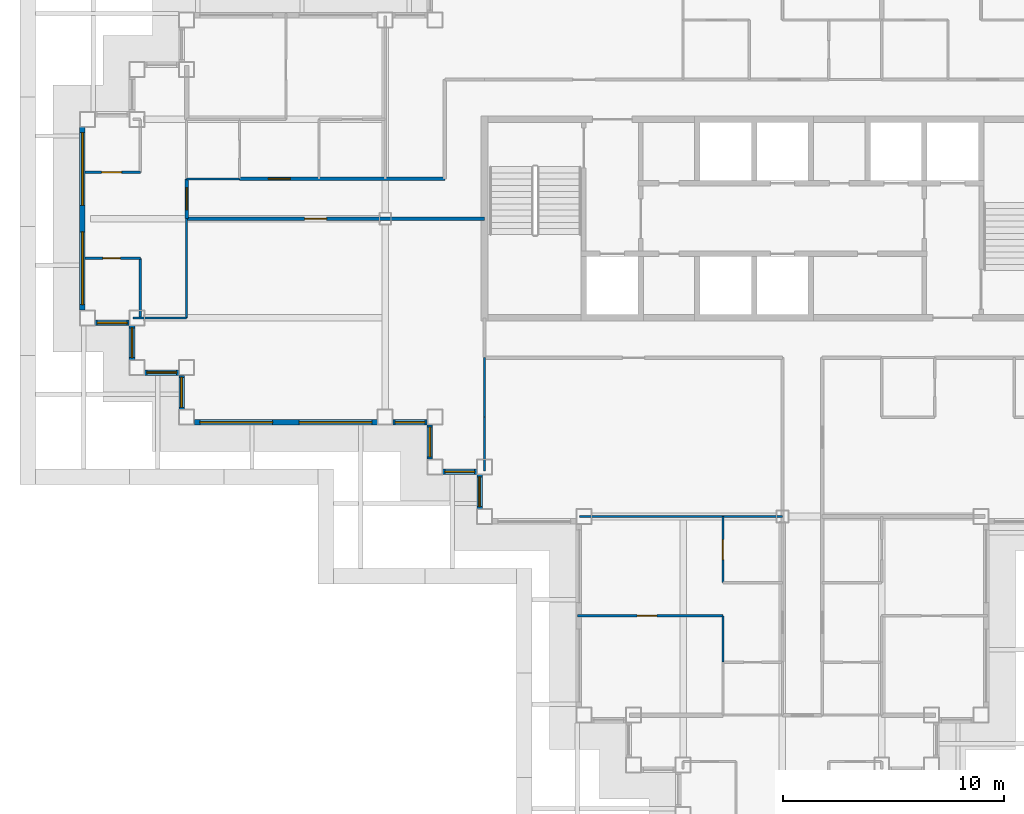
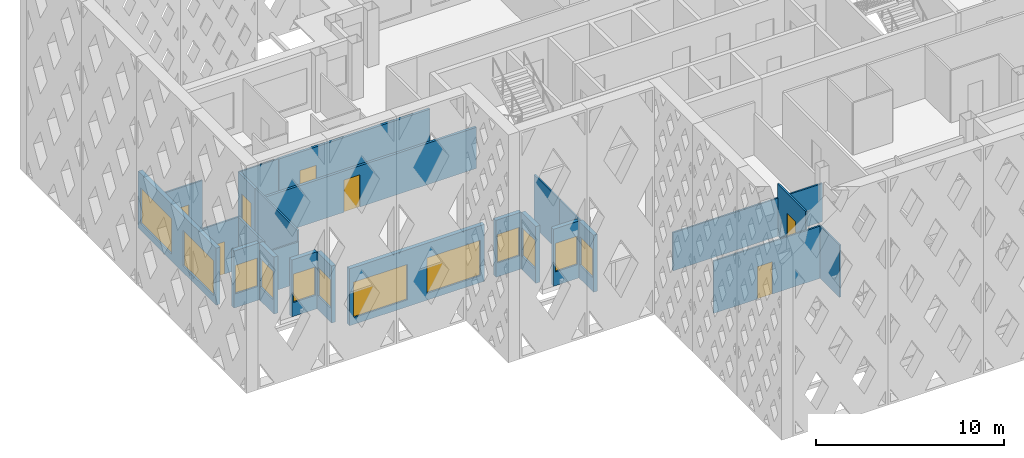
# One storey, part 2 of 17: 25 walls, 12 windows, 7 doors, 19 openings.
"""IFC4 building model written with IfcOpenShell, lengths in metres."""

from ifc_helpers import new_model, si_unit, direction, frame, frame_2d, origin, place, context, subcontext, project, spatial, rectangle, extrude, material, layer, layer_set, type_object, element, fill, save


model = new_model("IFC4")

# Units and contexts
model_context = context("Model", 3, precision=1e-05, world=origin(), true_north=direction((0.0, 1.0)))
body_context = subcontext(model_context, "Body", "Model", "MODEL_VIEW")
ifc_project = project(units=[si_unit("LENGTHUNIT", "METRE"), si_unit("AREAUNIT", "SQUARE_METRE"), si_unit("VOLUMEUNIT", "CUBIC_METRE"), si_unit("PLANEANGLEUNIT", "RADIAN"), si_unit("MASSUNIT", "GRAM", prefix="KILO")], contexts=[model_context])

# Site, building, storey
site_placement = place(None, origin())
site = spatial("IfcSite", under=ifc_project, at=site_placement, CompositionType="ELEMENT")
building_placement = place(site_placement, origin())
building = spatial("IfcBuilding", under=site, at=building_placement, Name="Caravel Reach Hotel and Residences", CompositionType="ELEMENT")
storey_placement = place(building_placement, frame((0.0, 0.0, 192.39990234375)))
storey = spatial("IfcBuildingStorey", under=building, at=storey_placement, Name="L48", CompositionType="ELEMENT", Elevation=192.39990234375)

# Wall, opening, door
ifc_material_1 = material(Name="Gypsum board on steel stud", Category="steel")
ifc_layer_1 = layer(ifc_material_1, 0.10009765625)
ifc_layer_set_1 = layer_set([ifc_layer_1], Name="Bathroom pod wall 100 mm")
wall_type_1 = type_object("IfcWallType", Name="Bathroom pod wall 100 mm", PredefinedType="PARTITIONING", material=ifc_layer_set_1)
wall_1_placement = place(storey_placement, frame((-0.10009765625, 25.199951171875, 0.0), z_axis=(0.0, 0.0, 1.0), x_axis=(1.0, 0.0, 0.0)))
wall_1 = element("IfcWall", 1, at=wall_1_placement, inside=storey, type_object=wall_type_1, Name="L48 wall w080", PredefinedType="PARTITIONING", context=body_context, shape_type="SweptSolid", body=[
    extrude(rectangle(XDim=2.5, YDim=0.10009765625, at=frame_2d((1.25, 0.0))), origin(), (0.0, 0.0, 1.0), 3.400146484375),
])
opening_1_placement = place(wall_1_placement, frame((0.800048828125, 0.0, 0.0)))
opening_1 = element("IfcOpeningElement", 2, at=opening_1_placement, cuts=wall_1, Name="Opening D48-043", PredefinedType="OPENING", context=body_context, shape_type="SweptSolid", body=[
    extrude(rectangle(XDim=0.800048828125, YDim=2.10009765625, at=frame_2d((0.39990234375, 1.050048828125))), frame((0.0, 0.06005859375, 0.0), z_axis=(0.0, -1.0, 0.0), x_axis=(1.0, 0.0, 0.0)), (0.0, 0.0, 1.0), 0.1201171875),
])
ifc_material_2 = material(Name="Timber and steel door leaf", Category="steel")
door_type_1 = type_object("IfcDoorType", Name="Bathroom door 800 x 2100", OperationType="SINGLE_SWING_LEFT", PredefinedType="DOOR", material=ifc_material_2)
door_1_placement = place(opening_1_placement, origin())
door_1 = element("IfcDoor", 3, at=door_1_placement, inside=storey, type_object=door_type_1, Name="door D48-043", OperationType="SINGLE_SWING_LEFT", OverallHeight=2.10009765625, OverallWidth=0.800048828125, PredefinedType="DOOR", context=body_context, shape_type="SweptSolid", body=[
    extrude(rectangle(XDim=0.800048828125, YDim=2.10009765625, at=frame_2d((0.39990234375, 1.050048828125))), frame((0.0, 0.02490234375, 0.0), z_axis=(0.0, -1.0, 0.0), x_axis=(1.0, 0.0, 0.0)), (0.0, 0.0, 1.0), 0.050048828125),
])
fill(opening_1, door_1)

# Walls
wall_2_placement = place(storey_placement, frame((4.5, 28.800048828125, 0.0), z_axis=(0.0, 0.0, 1.0), x_axis=(1.0, 0.0, 0.0)))
element("IfcWall", 4, at=wall_2_placement, inside=storey, type_object=wall_type_1, Name="L48 wall w081", PredefinedType="PARTITIONING", context=body_context, shape_type="SweptSolid", body=[
    extrude(rectangle(XDim=2.39990234375, YDim=0.10009765625, at=frame_2d((1.199951171875, 0.0))), origin(), (0.0, 0.0, 1.0), 3.400146484375),
])
wall_3_placement = place(storey_placement, frame((2.39990234375, 22.5, 0.0), z_axis=(0.0, 0.0, 1.0), x_axis=(0.0, 1.0, 0.0)))
element("IfcWall", 5, at=wall_3_placement, inside=storey, type_object=wall_type_1, Name="L48 wall w092", PredefinedType="PARTITIONING", context=body_context, shape_type="SweptSolid", body=[
    extrude(rectangle(XDim=2.699951171875, YDim=0.10009765625, at=frame_2d((1.35009765625, 0.0))), origin(), (0.0, 0.0, 1.0), 3.400146484375),
])

# Wall, opening, door
ifc_material_3 = material(Name="Gypsum board on steel stud, fire-rated", Category="steel")
ifc_layer_2 = layer(ifc_material_3, 0.14990234375)
ifc_layer_set_2 = layer_set([ifc_layer_2], Name="Corridor wall 150 mm EI 60")
wall_type_2 = type_object("IfcWallType", Name="Corridor wall 150 mm EI 60", PredefinedType="PARTITIONING", material=ifc_layer_set_2)
wall_4_placement = place(storey_placement, frame((4.5, 27.0, 0.0), z_axis=(0.0, 0.0, 1.0), x_axis=(1.0, 0.0, 0.0)))
wall_4 = element("IfcWall", 6, at=wall_4_placement, inside=storey, type_object=wall_type_2, Name="L48 wall w007", PredefinedType="PARTITIONING", context=body_context, shape_type="SweptSolid", body=[
    extrude(rectangle(XDim=13.5, YDim=0.14990234375, at=frame_2d((6.75, 0.0))), origin(), (0.0, 0.0, 1.0), 2.68017578125),
])
opening_2_placement = place(wall_4_placement, frame((5.35009765625, 0.0, 0.0)))
opening_2 = element("IfcOpeningElement", 7, at=opening_2_placement, cuts=wall_4, Name="Opening D48-029", PredefinedType="OPENING", context=body_context, shape_type="SweptSolid", body=[
    extrude(rectangle(XDim=1.0, YDim=2.10009765625, at=frame_2d((0.5, 1.050048828125))), frame((0.0, 0.0849609375, 0.0), z_axis=(0.0, -1.0, 0.0), x_axis=(1.0, 0.0, 0.0)), (0.0, 0.0, 1.0), 0.169921875),
])
ifc_material_4 = material(Name="Steel fire door leaf", Category="steel")
door_type_2 = type_object("IfcDoorType", Name="Fire door 1000 x 2100 EI 60", OperationType="SINGLE_SWING_LEFT", PredefinedType="DOOR", material=ifc_material_4)
door_2_placement = place(opening_2_placement, origin())
door_2 = element("IfcDoor", 8, at=door_2_placement, inside=storey, type_object=door_type_2, Name="door D48-029", OperationType="SINGLE_SWING_LEFT", OverallHeight=2.10009765625, OverallWidth=1.0, PredefinedType="DOOR", context=body_context, shape_type="SweptSolid", body=[
    extrude(rectangle(XDim=1.0, YDim=2.10009765625, at=frame_2d((0.5, 1.050048828125))), frame((0.0, 0.02490234375, 0.0), z_axis=(0.0, -1.0, 0.0), x_axis=(1.0, 0.0, 0.0)), (0.0, 0.0, 1.0), 0.050048828125),
])
fill(opening_2, door_2)

wall_5_placement = place(storey_placement, frame((6.89990234375, 28.800048828125, 0.0), z_axis=(0.0, 0.0, 1.0), x_axis=(1.0, 0.0, 0.0)))
wall_5 = element("IfcWall", 9, at=wall_5_placement, inside=storey, type_object=wall_type_2, Name="L48 wall w009", PredefinedType="PARTITIONING", context=body_context, shape_type="SweptSolid", body=[
    extrude(rectangle(XDim=9.299072265625, YDim=0.14990234375, at=frame_2d((4.6494140625, 0.0))), origin(), (0.0, 0.0, 1.0), 3.400146484375),
])
opening_3_placement = place(wall_5_placement, frame((1.300048828125, 0.0, 0.0)))
opening_3 = element("IfcOpeningElement", 10, at=opening_3_placement, cuts=wall_5, Name="Opening D48-025", PredefinedType="OPENING", context=body_context, shape_type="SweptSolid", body=[
    extrude(rectangle(XDim=1.0, YDim=2.199951171875, at=frame_2d((0.5, 1.10009765625))), frame((0.0, 0.0849609375, 0.0), z_axis=(0.0, -1.0, 0.0), x_axis=(1.0, 0.0, 0.0)), (0.0, 0.0, 1.0), 0.169921875),
])
ifc_material_5 = material(Name="Steel fire door leaf", Category="steel")
door_type_3 = type_object("IfcDoorType", Name="Flat entrance door 1000 x 2200 EI 60", OperationType="SINGLE_SWING_LEFT", PredefinedType="DOOR", material=ifc_material_5)
door_3_placement = place(opening_3_placement, origin())
door_3 = element("IfcDoor", 11, at=door_3_placement, inside=storey, type_object=door_type_3, Name="door D48-025", OperationType="SINGLE_SWING_RIGHT", OverallHeight=2.199951171875, OverallWidth=1.0, PredefinedType="DOOR", context=body_context, shape_type="SweptSolid", body=[
    extrude(rectangle(XDim=1.0, YDim=2.199951171875, at=frame_2d((0.5, 1.10009765625))), frame((0.0, 0.02490234375, 0.0), z_axis=(0.0, -1.0, 0.0), x_axis=(1.0, 0.0, 0.0)), (0.0, 0.0, 1.0), 0.050048828125),
])
fill(opening_3, door_3)

wall_6_placement = place(storey_placement, frame((4.5, 27.0, 0.0), z_axis=(0.0, 0.0, 1.0), x_axis=(0.0, 1.0, 0.0)))
wall_6 = element("IfcWall", 12, at=wall_6_placement, inside=storey, type_object=wall_type_2, Name="L48 wall w026", PredefinedType="PARTITIONING", context=body_context, shape_type="SweptSolid", body=[
    extrude(rectangle(XDim=1.800048828125, YDim=0.14990234375, at=frame_2d((0.89990234375, 0.0))), origin(), (0.0, 0.0, 1.0), 3.400146484375),
])
opening_4_placement = place(wall_6_placement, frame((0.39990234375, 0.0, 0.0)))
opening_4 = element("IfcOpeningElement", 13, at=opening_4_placement, cuts=wall_6, Name="Opening D48-042", PredefinedType="OPENING", context=body_context, shape_type="SweptSolid", body=[
    extrude(rectangle(XDim=1.0, YDim=2.199951171875, at=frame_2d((0.5, 1.10009765625))), frame((0.0, 0.0849609375, 0.0), z_axis=(0.0, -1.0, 0.0), x_axis=(1.0, 0.0, 0.0)), (0.0, 0.0, 1.0), 0.169921875),
])
door_4_placement = place(opening_4_placement, origin())
door_4 = element("IfcDoor", 14, at=door_4_placement, inside=storey, type_object=door_type_3, Name="door D48-042", OperationType="SINGLE_SWING_LEFT", OverallHeight=2.199951171875, OverallWidth=1.0, PredefinedType="DOOR", context=body_context, shape_type="SweptSolid", body=[
    extrude(rectangle(XDim=1.0, YDim=2.199951171875, at=frame_2d((0.5, 1.10009765625))), frame((0.0, 0.02490234375, 0.0), z_axis=(0.0, -1.0, 0.0), x_axis=(1.0, 0.0, 0.0)), (0.0, 0.0, 1.0), 0.050048828125),
])
fill(opening_4, door_4)

# Wall, openings, windows
ifc_material_6 = material(Name="Insulated rainscreen wall, aluminium cladding", Category="aluminium")
ifc_layer_3 = layer(ifc_material_6, 0.25)
ifc_layer_set_3 = layer_set([ifc_layer_3], Name="EW1 Tower rainscreen wall")
wall_type_3 = type_object("IfcWallType", Name="EW1 Tower rainscreen wall", PredefinedType="SOLIDWALL", material=ifc_layer_set_3)
wall_7_placement = place(storey_placement, frame((-0.22509765625, 31.14990234375, 0.0), z_axis=(0.0, 0.0, 1.0), x_axis=(0.0, -1.0, 0.0)))
wall_7 = element("IfcWall", 15, at=wall_7_placement, inside=storey, type_object=wall_type_3, Name="External wall L48 W20.1", PredefinedType="SOLIDWALL", context=body_context, shape_type="SweptSolid", body=[
    extrude(rectangle(XDim=8.2998046875, YDim=0.25, at=frame_2d((4.14990234375, 0.0))), origin(), (0.0, 0.0, 1.0), 3.7001953125),
])
opening_5_placement = place(wall_7_placement, frame((0.25, 0.0, 0.449951171875)))
opening_5 = element("IfcOpeningElement", 16, at=opening_5_placement, cuts=wall_7, Name="Opening WN15", PredefinedType="OPENING", context=body_context, shape_type="SweptSolid", body=[
    extrude(rectangle(XDim=3.300048828125, YDim=2.300048828125, at=frame_2d((1.64990234375, 1.14990234375))), frame((0.0, 0.135009765625, 0.0), z_axis=(0.0, -1.0, 0.0), x_axis=(1.0, 0.0, 0.0)), (0.0, 0.0, 1.0), 0.27001953125),
])
opening_6_placement = place(wall_7_placement, frame((4.75, 0.0, 0.449951171875)))
opening_6 = element("IfcOpeningElement", 17, at=opening_6_placement, cuts=wall_7, Name="Opening WN15", PredefinedType="OPENING", context=body_context, shape_type="SweptSolid", body=[
    extrude(rectangle(XDim=3.300048828125, YDim=2.300048828125, at=frame_2d((1.64990234375, 1.14990234375))), frame((0.0, 0.135009765625, 0.0), z_axis=(0.0, -1.0, 0.0), x_axis=(1.0, 0.0, 0.0)), (0.0, 0.0, 1.0), 0.27001953125),
])
ifc_material_7 = material(Name="Dark low-e glazing in black aluminium frame", Category="aluminium")
window_type_1 = type_object("IfcWindowType", Name="Residence living window 3300 x 2300", PartitioningType="SINGLE_PANEL", PredefinedType="WINDOW", material=ifc_material_7)
window_1_placement = place(opening_5_placement, origin())
window_1 = element("IfcWindow", 18, at=window_1_placement, inside=storey, type_object=window_type_1, Name="Window L48 W20.1.1", OverallHeight=2.300048828125, OverallWidth=3.300048828125, PartitioningType="SINGLE_PANEL", PredefinedType="WINDOW", context=body_context, shape_type="SweptSolid", body=[
    extrude(rectangle(XDim=3.300048828125, YDim=2.300048828125, at=frame_2d((1.64990234375, 1.14990234375))), frame((0.0, 0.030029296875, 0.0), z_axis=(0.0, -1.0, 0.0), x_axis=(1.0, 0.0, 0.0)), (0.0, 0.0, 1.0), 0.06005859375),
])
fill(opening_5, window_1)
window_2_placement = place(opening_6_placement, origin())
window_2 = element("IfcWindow", 19, at=window_2_placement, inside=storey, type_object=window_type_1, Name="Window L48 W20.1.2", OverallHeight=2.300048828125, OverallWidth=3.300048828125, PartitioningType="SINGLE_PANEL", PredefinedType="WINDOW", context=body_context, shape_type="SweptSolid", body=[
    extrude(rectangle(XDim=3.300048828125, YDim=2.300048828125, at=frame_2d((1.64990234375, 1.14990234375))), frame((0.0, 0.030029296875, 0.0), z_axis=(0.0, -1.0, 0.0), x_axis=(1.0, 0.0, 0.0)), (0.0, 0.0, 1.0), 0.06005859375),
])
fill(opening_6, window_2)

# Wall, opening, window
wall_8_placement = place(storey_placement, frame((0.35009765625, 22.27490234375, 0.0), z_axis=(0.0, 0.0, 1.0), x_axis=(1.0, 0.0, 0.0)))
wall_8 = element("IfcWall", 20, at=wall_8_placement, inside=storey, type_object=wall_type_3, Name="External wall L48 S21.1", PredefinedType="SOLIDWALL", context=body_context, shape_type="SweptSolid", body=[
    extrude(rectangle(XDim=1.5498046875, YDim=0.25, at=frame_2d((0.77490234375, 0.0))), origin(), (0.0, 0.0, 1.0), 3.7001953125),
])
opening_7_placement = place(wall_8_placement, frame((0.10009765625, 0.0, 0.89990234375)))
opening_7 = element("IfcOpeningElement", 21, at=opening_7_placement, cuts=wall_8, Name="Opening WN21", PredefinedType="OPENING", context=body_context, shape_type="SweptSolid", body=[
    extrude(rectangle(XDim=1.35009765625, YDim=1.85009765625, at=frame_2d((0.675048828125, 0.925048828125))), frame((0.0, 0.135009765625, 0.0), z_axis=(0.0, -1.0, 0.0), x_axis=(1.0, 0.0, 0.0)), (0.0, 0.0, 1.0), 0.27001953125),
])
ifc_material_8 = material(Name="Dark low-e glazing in black aluminium frame", Category="aluminium")
window_type_2 = type_object("IfcWindowType", Name="Residence bedroom window 1350 x 1850", PartitioningType="SINGLE_PANEL", PredefinedType="WINDOW", material=ifc_material_8)
window_3_placement = place(opening_7_placement, origin())
window_3 = element("IfcWindow", 22, at=window_3_placement, inside=storey, type_object=window_type_2, Name="Window L48 S21.1.1", OverallHeight=1.85009765625, OverallWidth=1.35009765625, PartitioningType="SINGLE_PANEL", PredefinedType="WINDOW", context=body_context, shape_type="SweptSolid", body=[
    extrude(rectangle(XDim=1.35009765625, YDim=1.85009765625, at=frame_2d((0.675048828125, 0.925048828125))), frame((0.0, 0.030029296875, 0.0), z_axis=(0.0, -1.0, 0.0), x_axis=(1.0, 0.0, 0.0)), (0.0, 0.0, 1.0), 0.06005859375),
])
fill(opening_7, window_3)

wall_9_placement = place(storey_placement, frame((2.02490234375, 22.14990234375, 0.0), z_axis=(0.0, 0.0, 1.0), x_axis=(0.0, -1.0, 0.0)))
wall_9 = element("IfcWall", 23, at=wall_9_placement, inside=storey, type_object=wall_type_3, Name="External wall L48 W22.1", PredefinedType="SOLIDWALL", context=body_context, shape_type="SweptSolid", body=[
    extrude(rectangle(XDim=1.5498046875, YDim=0.25, at=frame_2d((0.77490234375, 0.0))), origin(), (0.0, 0.0, 1.0), 3.7001953125),
])
opening_8_placement = place(wall_9_placement, frame((0.10009765625, 0.0, 0.89990234375)))
opening_8 = element("IfcOpeningElement", 24, at=opening_8_placement, cuts=wall_9, Name="Opening WN21", PredefinedType="OPENING", context=body_context, shape_type="SweptSolid", body=[
    extrude(rectangle(XDim=1.35009765625, YDim=1.85009765625, at=frame_2d((0.675048828125, 0.925048828125))), frame((0.0, 0.135009765625, 0.0), z_axis=(0.0, -1.0, 0.0), x_axis=(1.0, 0.0, 0.0)), (0.0, 0.0, 1.0), 0.27001953125),
])
window_4_placement = place(opening_8_placement, origin())
window_4 = element("IfcWindow", 25, at=window_4_placement, inside=storey, type_object=window_type_2, Name="Window L48 W22.1.1", OverallHeight=1.85009765625, OverallWidth=1.35009765625, PartitioningType="SINGLE_PANEL", PredefinedType="WINDOW", context=body_context, shape_type="SweptSolid", body=[
    extrude(rectangle(XDim=1.35009765625, YDim=1.85009765625, at=frame_2d((0.675048828125, 0.925048828125))), frame((0.0, 0.030029296875, 0.0), z_axis=(0.0, -1.0, 0.0), x_axis=(1.0, 0.0, 0.0)), (0.0, 0.0, 1.0), 0.06005859375),
])
fill(opening_8, window_4)

wall_10_placement = place(storey_placement, frame((2.60009765625, 20.02490234375, 0.0), z_axis=(0.0, 0.0, 1.0), x_axis=(1.0, 0.0, 0.0)))
wall_10 = element("IfcWall", 26, at=wall_10_placement, inside=storey, type_object=wall_type_3, Name="External wall L48 S23.1", PredefinedType="SOLIDWALL", context=body_context, shape_type="SweptSolid", body=[
    extrude(rectangle(XDim=1.5498046875, YDim=0.25, at=frame_2d((0.77490234375, 0.0))), origin(), (0.0, 0.0, 1.0), 3.7001953125),
])
opening_9_placement = place(wall_10_placement, frame((0.10009765625, 0.0, 0.89990234375)))
opening_9 = element("IfcOpeningElement", 27, at=opening_9_placement, cuts=wall_10, Name="Opening WN21", PredefinedType="OPENING", context=body_context, shape_type="SweptSolid", body=[
    extrude(rectangle(XDim=1.35009765625, YDim=1.85009765625, at=frame_2d((0.675048828125, 0.925048828125))), frame((0.0, 0.135009765625, 0.0), z_axis=(0.0, -1.0, 0.0), x_axis=(1.0, 0.0, 0.0)), (0.0, 0.0, 1.0), 0.27001953125),
])
window_5_placement = place(opening_9_placement, origin())
window_5 = element("IfcWindow", 28, at=window_5_placement, inside=storey, type_object=window_type_2, Name="Window L48 S23.1.1", OverallHeight=1.85009765625, OverallWidth=1.35009765625, PartitioningType="SINGLE_PANEL", PredefinedType="WINDOW", context=body_context, shape_type="SweptSolid", body=[
    extrude(rectangle(XDim=1.35009765625, YDim=1.85009765625, at=frame_2d((0.675048828125, 0.925048828125))), frame((0.0, 0.030029296875, 0.0), z_axis=(0.0, -1.0, 0.0), x_axis=(1.0, 0.0, 0.0)), (0.0, 0.0, 1.0), 0.06005859375),
])
fill(opening_9, window_5)

wall_11_placement = place(storey_placement, frame((4.27490234375, 19.89990234375, 0.0), z_axis=(0.0, 0.0, 1.0), x_axis=(0.0, -1.0, 0.0)))
wall_11 = element("IfcWall", 29, at=wall_11_placement, inside=storey, type_object=wall_type_3, Name="External wall L48 W24.1", PredefinedType="SOLIDWALL", context=body_context, shape_type="SweptSolid", body=[
    extrude(rectangle(XDim=1.5498046875, YDim=0.25, at=frame_2d((0.77490234375, 0.0))), origin(), (0.0, 0.0, 1.0), 3.7001953125),
])
opening_10_placement = place(wall_11_placement, frame((0.10009765625, 0.0, 0.89990234375)))
opening_10 = element("IfcOpeningElement", 30, at=opening_10_placement, cuts=wall_11, Name="Opening WN21", PredefinedType="OPENING", context=body_context, shape_type="SweptSolid", body=[
    extrude(rectangle(XDim=1.35009765625, YDim=1.85009765625, at=frame_2d((0.675048828125, 0.925048828125))), frame((0.0, 0.135009765625, 0.0), z_axis=(0.0, -1.0, 0.0), x_axis=(1.0, 0.0, 0.0)), (0.0, 0.0, 1.0), 0.27001953125),
])
window_6_placement = place(opening_10_placement, origin())
window_6 = element("IfcWindow", 31, at=window_6_placement, inside=storey, type_object=window_type_2, Name="Window L48 W24.1.1", OverallHeight=1.85009765625, OverallWidth=1.35009765625, PartitioningType="SINGLE_PANEL", PredefinedType="WINDOW", context=body_context, shape_type="SweptSolid", body=[
    extrude(rectangle(XDim=1.35009765625, YDim=1.85009765625, at=frame_2d((0.675048828125, 0.925048828125))), frame((0.0, 0.030029296875, 0.0), z_axis=(0.0, -1.0, 0.0), x_axis=(1.0, 0.0, 0.0)), (0.0, 0.0, 1.0), 0.06005859375),
])
fill(opening_10, window_6)

# Wall, openings, windows
wall_12_placement = place(storey_placement, frame((4.85009765625, 17.77490234375, 0.0), z_axis=(0.0, 0.0, 1.0), x_axis=(1.0, 0.0, 0.0)))
wall_12 = element("IfcWall", 32, at=wall_12_placement, inside=storey, type_object=wall_type_3, Name="External wall L48 S25.1", PredefinedType="SOLIDWALL", context=body_context, shape_type="SweptSolid", body=[
    extrude(rectangle(XDim=8.2998046875, YDim=0.25, at=frame_2d((4.14990234375, 0.0))), origin(), (0.0, 0.0, 1.0), 3.7001953125),
])
opening_11_placement = place(wall_12_placement, frame((0.25, 0.0, 0.449951171875)))
opening_11 = element("IfcOpeningElement", 33, at=opening_11_placement, cuts=wall_12, Name="Opening WN15", PredefinedType="OPENING", context=body_context, shape_type="SweptSolid", body=[
    extrude(rectangle(XDim=3.300048828125, YDim=2.300048828125, at=frame_2d((1.64990234375, 1.14990234375))), frame((0.0, 0.135009765625, 0.0), z_axis=(0.0, -1.0, 0.0), x_axis=(1.0, 0.0, 0.0)), (0.0, 0.0, 1.0), 0.27001953125),
])
opening_12_placement = place(wall_12_placement, frame((4.75, 0.0, 0.449951171875)))
opening_12 = element("IfcOpeningElement", 34, at=opening_12_placement, cuts=wall_12, Name="Opening WN15", PredefinedType="OPENING", context=body_context, shape_type="SweptSolid", body=[
    extrude(rectangle(XDim=3.300048828125, YDim=2.300048828125, at=frame_2d((1.64990234375, 1.14990234375))), frame((0.0, 0.135009765625, 0.0), z_axis=(0.0, -1.0, 0.0), x_axis=(1.0, 0.0, 0.0)), (0.0, 0.0, 1.0), 0.27001953125),
])
window_7_placement = place(opening_11_placement, origin())
window_7 = element("IfcWindow", 35, at=window_7_placement, inside=storey, type_object=window_type_1, Name="Window L48 S25.1.1", OverallHeight=2.300048828125, OverallWidth=3.300048828125, PartitioningType="SINGLE_PANEL", PredefinedType="WINDOW", context=body_context, shape_type="SweptSolid", body=[
    extrude(rectangle(XDim=3.300048828125, YDim=2.300048828125, at=frame_2d((1.64990234375, 1.14990234375))), frame((0.0, 0.030029296875, 0.0), z_axis=(0.0, -1.0, 0.0), x_axis=(1.0, 0.0, 0.0)), (0.0, 0.0, 1.0), 0.06005859375),
])
fill(opening_11, window_7)
window_8_placement = place(opening_12_placement, origin())
window_8 = element("IfcWindow", 36, at=window_8_placement, inside=storey, type_object=window_type_1, Name="Window L48 S25.1.2", OverallHeight=2.300048828125, OverallWidth=3.300048828125, PartitioningType="SINGLE_PANEL", PredefinedType="WINDOW", context=body_context, shape_type="SweptSolid", body=[
    extrude(rectangle(XDim=3.300048828125, YDim=2.300048828125, at=frame_2d((1.64990234375, 1.14990234375))), frame((0.0, 0.030029296875, 0.0), z_axis=(0.0, -1.0, 0.0), x_axis=(1.0, 0.0, 0.0)), (0.0, 0.0, 1.0), 0.06005859375),
])
fill(opening_12, window_8)

# Wall, opening, window
wall_13_placement = place(storey_placement, frame((13.85009765625, 17.77490234375, 0.0), z_axis=(0.0, 0.0, 1.0), x_axis=(1.0, 0.0, 0.0)))
wall_13 = element("IfcWall", 37, at=wall_13_placement, inside=storey, type_object=wall_type_3, Name="External wall L48 S25.2", PredefinedType="SOLIDWALL", context=body_context, shape_type="SweptSolid", body=[
    extrude(rectangle(XDim=1.5498046875, YDim=0.25, at=frame_2d((0.77490234375, 0.0))), origin(), (0.0, 0.0, 1.0), 3.7001953125),
])
opening_13_placement = place(wall_13_placement, frame((0.10009765625, 0.0, 0.89990234375)))
opening_13 = element("IfcOpeningElement", 38, at=opening_13_placement, cuts=wall_13, Name="Opening WN21", PredefinedType="OPENING", context=body_context, shape_type="SweptSolid", body=[
    extrude(rectangle(XDim=1.35009765625, YDim=1.85009765625, at=frame_2d((0.675048828125, 0.925048828125))), frame((0.0, 0.135009765625, 0.0), z_axis=(0.0, -1.0, 0.0), x_axis=(1.0, 0.0, 0.0)), (0.0, 0.0, 1.0), 0.27001953125),
])
window_9_placement = place(opening_13_placement, origin())
window_9 = element("IfcWindow", 39, at=window_9_placement, inside=storey, type_object=window_type_2, Name="Window L48 S25.2.1", OverallHeight=1.85009765625, OverallWidth=1.35009765625, PartitioningType="SINGLE_PANEL", PredefinedType="WINDOW", context=body_context, shape_type="SweptSolid", body=[
    extrude(rectangle(XDim=1.35009765625, YDim=1.85009765625, at=frame_2d((0.675048828125, 0.925048828125))), frame((0.0, 0.030029296875, 0.0), z_axis=(0.0, -1.0, 0.0), x_axis=(1.0, 0.0, 0.0)), (0.0, 0.0, 1.0), 0.06005859375),
])
fill(opening_13, window_9)

wall_14_placement = place(storey_placement, frame((15.52490234375, 17.64990234375, 0.0), z_axis=(0.0, 0.0, 1.0), x_axis=(0.0, -1.0, 0.0)))
wall_14 = element("IfcWall", 40, at=wall_14_placement, inside=storey, type_object=wall_type_3, Name="External wall L48 W26.1", PredefinedType="SOLIDWALL", context=body_context, shape_type="SweptSolid", body=[
    extrude(rectangle(XDim=1.5498046875, YDim=0.25, at=frame_2d((0.77490234375, 0.0))), origin(), (0.0, 0.0, 1.0), 3.7001953125),
])
opening_14_placement = place(wall_14_placement, frame((0.10009765625, 0.0, 0.89990234375)))
opening_14 = element("IfcOpeningElement", 41, at=opening_14_placement, cuts=wall_14, Name="Opening WN21", PredefinedType="OPENING", context=body_context, shape_type="SweptSolid", body=[
    extrude(rectangle(XDim=1.35009765625, YDim=1.85009765625, at=frame_2d((0.675048828125, 0.925048828125))), frame((0.0, 0.135009765625, 0.0), z_axis=(0.0, -1.0, 0.0), x_axis=(1.0, 0.0, 0.0)), (0.0, 0.0, 1.0), 0.27001953125),
])
window_10_placement = place(opening_14_placement, origin())
window_10 = element("IfcWindow", 42, at=window_10_placement, inside=storey, type_object=window_type_2, Name="Window L48 W26.1.1", OverallHeight=1.85009765625, OverallWidth=1.35009765625, PartitioningType="SINGLE_PANEL", PredefinedType="WINDOW", context=body_context, shape_type="SweptSolid", body=[
    extrude(rectangle(XDim=1.35009765625, YDim=1.85009765625, at=frame_2d((0.675048828125, 0.925048828125))), frame((0.0, 0.030029296875, 0.0), z_axis=(0.0, -1.0, 0.0), x_axis=(1.0, 0.0, 0.0)), (0.0, 0.0, 1.0), 0.06005859375),
])
fill(opening_14, window_10)

wall_15_placement = place(storey_placement, frame((16.10009765625, 15.52490234375, 0.0), z_axis=(0.0, 0.0, 1.0), x_axis=(1.0, 0.0, 0.0)))
wall_15 = element("IfcWall", 43, at=wall_15_placement, inside=storey, type_object=wall_type_3, Name="External wall L48 S27.1", PredefinedType="SOLIDWALL", context=body_context, shape_type="SweptSolid", body=[
    extrude(rectangle(XDim=1.5498046875, YDim=0.25, at=frame_2d((0.77490234375, 0.0))), origin(), (0.0, 0.0, 1.0), 3.7001953125),
])
opening_15_placement = place(wall_15_placement, frame((0.10009765625, 0.0, 0.89990234375)))
opening_15 = element("IfcOpeningElement", 44, at=opening_15_placement, cuts=wall_15, Name="Opening WN21", PredefinedType="OPENING", context=body_context, shape_type="SweptSolid", body=[
    extrude(rectangle(XDim=1.35009765625, YDim=1.85009765625, at=frame_2d((0.675048828125, 0.925048828125))), frame((0.0, 0.135009765625, 0.0), z_axis=(0.0, -1.0, 0.0), x_axis=(1.0, 0.0, 0.0)), (0.0, 0.0, 1.0), 0.27001953125),
])
window_11_placement = place(opening_15_placement, origin())
window_11 = element("IfcWindow", 45, at=window_11_placement, inside=storey, type_object=window_type_2, Name="Window L48 S27.1.1", OverallHeight=1.85009765625, OverallWidth=1.35009765625, PartitioningType="SINGLE_PANEL", PredefinedType="WINDOW", context=body_context, shape_type="SweptSolid", body=[
    extrude(rectangle(XDim=1.35009765625, YDim=1.85009765625, at=frame_2d((0.675048828125, 0.925048828125))), frame((0.0, 0.030029296875, 0.0), z_axis=(0.0, -1.0, 0.0), x_axis=(1.0, 0.0, 0.0)), (0.0, 0.0, 1.0), 0.06005859375),
])
fill(opening_15, window_11)

wall_16_placement = place(storey_placement, frame((17.77490234375, 15.39990234375, 0.0), z_axis=(0.0, 0.0, 1.0), x_axis=(0.0, -1.0, 0.0)))
wall_16 = element("IfcWall", 46, at=wall_16_placement, inside=storey, type_object=wall_type_3, Name="External wall L48 W28.1", PredefinedType="SOLIDWALL", context=body_context, shape_type="SweptSolid", body=[
    extrude(rectangle(XDim=1.5498046875, YDim=0.25, at=frame_2d((0.77490234375, 0.0))), origin(), (0.0, 0.0, 1.0), 3.7001953125),
])
opening_16_placement = place(wall_16_placement, frame((0.10009765625, 0.0, 0.89990234375)))
opening_16 = element("IfcOpeningElement", 47, at=opening_16_placement, cuts=wall_16, Name="Opening WN21", PredefinedType="OPENING", context=body_context, shape_type="SweptSolid", body=[
    extrude(rectangle(XDim=1.35009765625, YDim=1.85009765625, at=frame_2d((0.675048828125, 0.925048828125))), frame((0.0, 0.135009765625, 0.0), z_axis=(0.0, -1.0, 0.0), x_axis=(1.0, 0.0, 0.0)), (0.0, 0.0, 1.0), 0.27001953125),
])
window_12_placement = place(opening_16_placement, origin())
window_12 = element("IfcWindow", 48, at=window_12_placement, inside=storey, type_object=window_type_2, Name="Window L48 W28.1.1", OverallHeight=1.85009765625, OverallWidth=1.35009765625, PartitioningType="SINGLE_PANEL", PredefinedType="WINDOW", context=body_context, shape_type="SweptSolid", body=[
    extrude(rectangle(XDim=1.35009765625, YDim=1.85009765625, at=frame_2d((0.675048828125, 0.925048828125))), frame((0.0, 0.030029296875, 0.0), z_axis=(0.0, -1.0, 0.0), x_axis=(1.0, 0.0, 0.0)), (0.0, 0.0, 1.0), 0.06005859375),
])
fill(opening_16, window_12)

# Walls
ifc_material_9 = material(Name="Gypsum board on steel stud", Category="steel")
ifc_layer_4 = layer(ifc_material_9, 0.10009765625)
ifc_layer_set_4 = layer_set([ifc_layer_4], Name="Partition 100 mm")
wall_type_4 = type_object("IfcWallType", Name="Partition 100 mm", PredefinedType="PARTITIONING", material=ifc_layer_set_4)
wall_17_placement = place(storey_placement, frame((22.31005859375, 13.5, 0.0), z_axis=(0.0, 0.0, 1.0), x_axis=(1.0, 0.0, 0.0)))
element("IfcWall", 49, at=wall_17_placement, inside=storey, type_object=wall_type_4, Name="L48 wall w030", PredefinedType="PARTITIONING", context=body_context, shape_type="SweptSolid", body=[
    extrude(rectangle(XDim=9.18994140625, YDim=0.10009765625, at=frame_2d((4.594970703125, 0.0))), origin(), (0.0, 0.0, 1.0), 2.47998046875),
])
wall_18_placement = place(storey_placement, frame((2.06005859375, 22.5, 0.0), z_axis=(0.0, 0.0, 1.0), x_axis=(1.0, 0.0, 0.0)))
element("IfcWall", 50, at=wall_18_placement, inside=storey, type_object=wall_type_4, Name="L48 wall w034", PredefinedType="PARTITIONING", context=body_context, shape_type="SweptSolid", body=[
    extrude(rectangle(XDim=2.43896484375, YDim=0.10009765625, at=frame_2d((1.219482421875, 0.0))), origin(), (0.0, 0.0, 1.0), 2.68017578125),
])

# Wall, opening, door
wall_19_placement = place(storey_placement, frame((-0.10009765625, 29.10009765625, 0.0), z_axis=(0.0, 0.0, 1.0), x_axis=(1.0, 0.0, 0.0)))
wall_19 = element("IfcWall", 51, at=wall_19_placement, inside=storey, type_object=wall_type_4, Name="L48 wall w035", PredefinedType="PARTITIONING", context=body_context, shape_type="SweptSolid", body=[
    extrude(rectangle(XDim=2.5, YDim=0.10009765625, at=frame_2d((1.25, 0.0))), origin(), (0.0, 0.0, 1.0), 3.400146484375),
])
opening_17_placement = place(wall_19_placement, frame((0.75, 0.0, 0.0)))
opening_17 = element("IfcOpeningElement", 52, at=opening_17_placement, cuts=wall_19, Name="Opening D48-044", PredefinedType="OPENING", context=body_context, shape_type="SweptSolid", body=[
    extrude(rectangle(XDim=0.89990234375, YDim=2.10009765625, at=frame_2d((0.449951171875, 1.050048828125))), frame((0.0, 0.06005859375, 0.0), z_axis=(0.0, -1.0, 0.0), x_axis=(1.0, 0.0, 0.0)), (0.0, 0.0, 1.0), 0.1201171875),
])
ifc_material_10 = material(Name="Timber and steel door leaf", Category="steel")
door_type_4 = type_object("IfcDoorType", Name="Door 900 x 2100 timber", OperationType="SINGLE_SWING_LEFT", PredefinedType="DOOR", material=ifc_material_10)
door_5_placement = place(opening_17_placement, origin())
door_5 = element("IfcDoor", 53, at=door_5_placement, inside=storey, type_object=door_type_4, Name="door D48-044", OperationType="SINGLE_SWING_RIGHT", OverallHeight=2.10009765625, OverallWidth=0.89990234375, PredefinedType="DOOR", context=body_context, shape_type="SweptSolid", body=[
    extrude(rectangle(XDim=0.89990234375, YDim=2.10009765625, at=frame_2d((0.449951171875, 1.050048828125))), frame((0.0, 0.02490234375, 0.0), z_axis=(0.0, -1.0, 0.0), x_axis=(1.0, 0.0, 0.0)), (0.0, 0.0, 1.0), 0.050048828125),
])
fill(opening_17, door_5)

wall_20_placement = place(storey_placement, frame((22.2099609375, 9.0, 0.0), z_axis=(0.0, 0.0, 1.0), x_axis=(1.0, 0.0, 0.0)))
wall_20 = element("IfcWall", 54, at=wall_20_placement, inside=storey, type_object=wall_type_4, Name="L48 wall w046", PredefinedType="PARTITIONING", context=body_context, shape_type="SweptSolid", body=[
    extrude(rectangle(XDim=6.590087890625, YDim=0.10009765625, at=frame_2d((3.294921875, 0.0))), origin(), (0.0, 0.0, 1.0), 3.400146484375),
])
opening_18_placement = place(wall_20_placement, frame((2.699951171875, 0.0, 0.0)))
opening_18 = element("IfcOpeningElement", 55, at=opening_18_placement, cuts=wall_20, Name="Opening D48-037", PredefinedType="OPENING", context=body_context, shape_type="SweptSolid", body=[
    extrude(rectangle(XDim=0.89990234375, YDim=2.10009765625, at=frame_2d((0.449951171875, 1.050048828125))), frame((0.0, 0.06005859375, 0.0), z_axis=(0.0, -1.0, 0.0), x_axis=(1.0, 0.0, 0.0)), (0.0, 0.0, 1.0), 0.1201171875),
])
door_6_placement = place(opening_18_placement, origin())
door_6 = element("IfcDoor", 56, at=door_6_placement, inside=storey, type_object=door_type_4, Name="door D48-037", OperationType="SINGLE_SWING_LEFT", OverallHeight=2.10009765625, OverallWidth=0.89990234375, PredefinedType="DOOR", context=body_context, shape_type="SweptSolid", body=[
    extrude(rectangle(XDim=0.89990234375, YDim=2.10009765625, at=frame_2d((0.449951171875, 1.050048828125))), frame((0.0, 0.02490234375, 0.0), z_axis=(0.0, -1.0, 0.0), x_axis=(1.0, 0.0, 0.0)), (0.0, 0.0, 1.0), 0.050048828125),
])
fill(opening_18, door_6)

# Walls
wall_21_placement = place(storey_placement, frame((18.0, 15.56005859375, 0.0), z_axis=(0.0, 0.0, 1.0), x_axis=(0.0, 1.0, 0.0)))
element("IfcWall", 57, at=wall_21_placement, inside=storey, type_object=wall_type_4, Name="L48 wall w050", PredefinedType="PARTITIONING", context=body_context, shape_type="SweptSolid", body=[
    extrude(rectangle(XDim=2.43896484375, YDim=0.10009765625, at=frame_2d((1.219482421875, 0.0))), origin(), (0.0, 0.0, 1.0), 3.400146484375),
])
wall_22_placement = place(storey_placement, frame((18.0, 18.0, 0.0), z_axis=(0.0, 0.0, 1.0), x_axis=(0.0, 1.0, 0.0)))
element("IfcWall", 58, at=wall_22_placement, inside=storey, type_object=wall_type_4, Name="L48 wall w051", PredefinedType="PARTITIONING", context=body_context, shape_type="SweptSolid", body=[
    extrude(rectangle(XDim=2.699951171875, YDim=0.10009765625, at=frame_2d((1.35009765625, 0.0))), origin(), (0.0, 0.0, 1.0), 3.400146484375),
])
wall_23_placement = place(storey_placement, frame((28.800048828125, 6.89990234375, 0.0), z_axis=(0.0, 0.0, 1.0), x_axis=(0.0, 1.0, 0.0)))
element("IfcWall", 59, at=wall_23_placement, inside=storey, type_object=wall_type_4, Name="L48 wall w055", PredefinedType="PARTITIONING", context=body_context, shape_type="SweptSolid", body=[
    extrude(rectangle(XDim=2.10009765625, YDim=0.10009765625, at=frame_2d((1.050048828125, 0.0))), origin(), (0.0, 0.0, 1.0), 3.400146484375),
])

# Wall, opening, door
wall_24_placement = place(storey_placement, frame((28.800048828125, 10.5, 0.0), z_axis=(0.0, 0.0, 1.0), x_axis=(0.0, 1.0, 0.0)))
wall_24 = element("IfcWall", 60, at=wall_24_placement, inside=storey, type_object=wall_type_4, Name="L48 wall w056", PredefinedType="PARTITIONING", context=body_context, shape_type="SweptSolid", body=[
    extrude(rectangle(XDim=3.0, YDim=0.10009765625, at=frame_2d((1.5, 0.0))), origin(), (0.0, 0.0, 1.0), 3.400146484375),
])
opening_19_placement = place(wall_24_placement, frame((1.050048828125, 0.0, 0.0)))
opening_19 = element("IfcOpeningElement", 61, at=opening_19_placement, cuts=wall_24, Name="Opening D48-036", PredefinedType="OPENING", context=body_context, shape_type="SweptSolid", body=[
    extrude(rectangle(XDim=0.89990234375, YDim=2.10009765625, at=frame_2d((0.449951171875, 1.050048828125))), frame((0.0, 0.06005859375, 0.0), z_axis=(0.0, -1.0, 0.0), x_axis=(1.0, 0.0, 0.0)), (0.0, 0.0, 1.0), 0.1201171875),
])
door_7_placement = place(opening_19_placement, origin())
door_7 = element("IfcDoor", 62, at=door_7_placement, inside=storey, type_object=door_type_4, Name="door D48-036", OperationType="SINGLE_SWING_LEFT", OverallHeight=2.10009765625, OverallWidth=0.89990234375, PredefinedType="DOOR", context=body_context, shape_type="SweptSolid", body=[
    extrude(rectangle(XDim=0.89990234375, YDim=2.10009765625, at=frame_2d((0.449951171875, 1.050048828125))), frame((0.0, 0.02490234375, 0.0), z_axis=(0.0, -1.0, 0.0), x_axis=(1.0, 0.0, 0.0)), (0.0, 0.0, 1.0), 0.050048828125),
])
fill(opening_19, door_7)

# Wall
wall_25_placement = place(storey_placement, frame((4.5, 22.5, 0.0), z_axis=(0.0, 0.0, 1.0), x_axis=(0.0, 1.0, 0.0)))
element("IfcWall", 63, at=wall_25_placement, inside=storey, type_object=wall_type_4, Name="L48 wall w064", PredefinedType="PARTITIONING", context=body_context, shape_type="SweptSolid", body=[
    extrude(rectangle(XDim=4.5, YDim=0.10009765625, at=frame_2d((2.25, 0.0))), origin(), (0.0, 0.0, 1.0), 3.400146484375),
])

save(model, "model.ifc")
